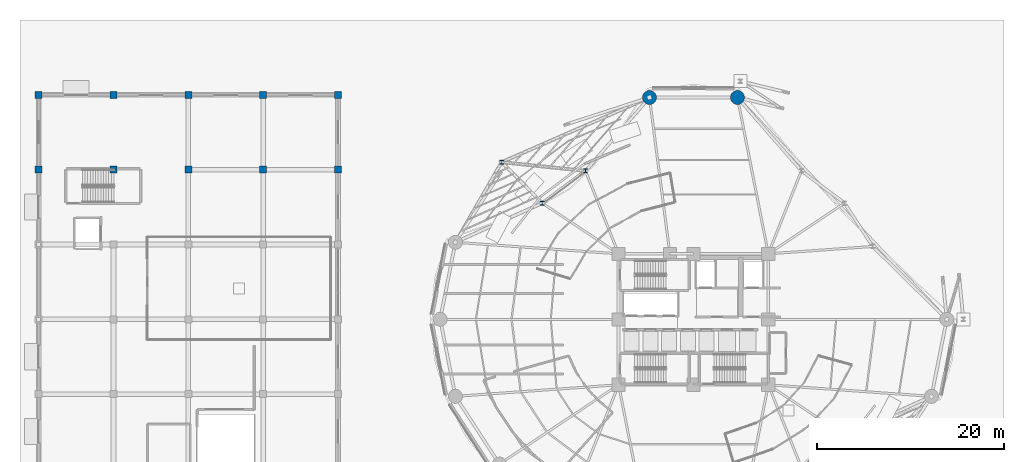
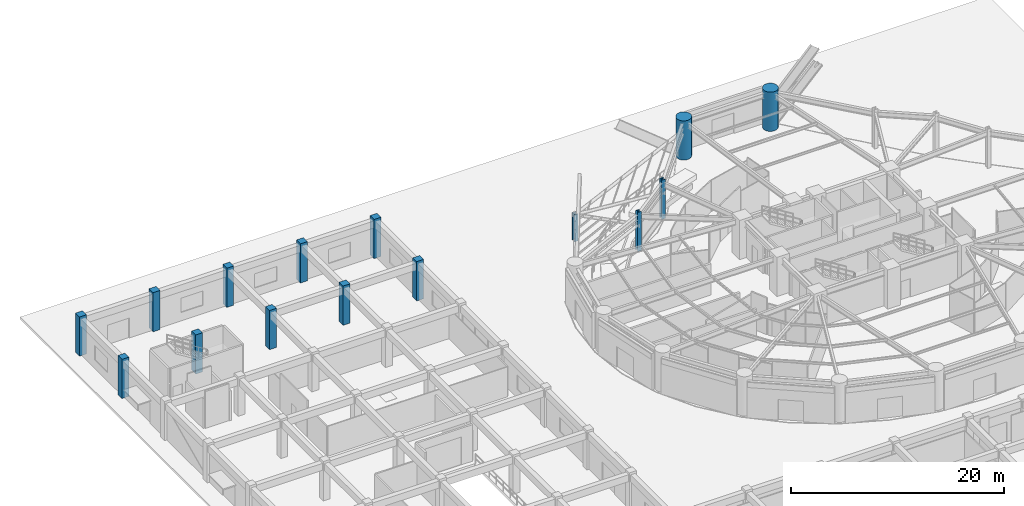
# One storey, part 3 of 40: 15 columns.
"""IFC4 building model written with IfcOpenShell, lengths in metres."""

from ifc_helpers import new_model, si_unit, direction, frame, origin, origin_2d, place, context, subcontext, project, spatial, rectangle, circle, i_section, extrude, material, material_profile, profile_set, type_object, element, save


model = new_model("IFC4")

# Units and contexts
model_context = context("Model", 3, precision=1e-05, world=origin(), true_north=direction((0.0, 1.0)))
body_context = subcontext(model_context, "Body", "Model", "MODEL_VIEW")
ifc_project = project(units=[si_unit("LENGTHUNIT", "METRE"), si_unit("AREAUNIT", "SQUARE_METRE"), si_unit("VOLUMEUNIT", "CUBIC_METRE"), si_unit("PLANEANGLEUNIT", "RADIAN"), si_unit("MASSUNIT", "GRAM", prefix="KILO")], contexts=[model_context])

# Site, building, storey
site_placement = place(None, origin())
site = spatial("IfcSite", under=ifc_project, at=site_placement, CompositionType="ELEMENT")
building_placement = place(site_placement, origin())
building = spatial("IfcBuilding", under=site, at=building_placement, Name="Kelanora Arch Commons", CompositionType="ELEMENT")
storey_placement = place(building_placement, origin())
storey = spatial("IfcBuildingStorey", under=building, at=storey_placement, Name="L00", CompositionType="ELEMENT", Elevation=0.0)

# Columns
ifc_material_1 = material(Name="Concrete C50/60", Category="concrete")
ifc_material_profile_1 = material_profile(ifc_material_1, rectangle(XDim=0.75, YDim=0.75, at=origin_2d()), Name="RC750x750")
ifc_profile_set_1 = profile_set([ifc_material_profile_1], Name="Concrete C50/60")
column_type_1 = type_object("IfcColumnType", Name="COL-MKT-MAIN", PredefinedType="COLUMN", material=ifc_profile_set_1)
for number, where, z_axis, x_axis, name in (
    (1, (4.0, 74.0, 0.0), (0.0, 0.0, 1.0), (1.0, 0.0, 0.0), "Market Hall Column 1-K L00"),
    (2, (4.0, 82.0, 0.0), (0.0, 0.0, 1.0), (1.0, 0.0, 0.0), "Market Hall Column 1-L L00"),
    (3, (12.0, 74.0, 0.0), (0.0, 0.0, 1.0), (1.0, 0.0, 0.0), "Market Hall Column 2-K L00"),
    (4, (12.0, 82.0, 0.0), (0.0, 0.0, 1.0), (1.0, 0.0, 0.0), "Market Hall Column 2-L L00"),
    (5, (20.0, 74.0, 0.0), (0.0, 0.0, 1.0), (1.0, 0.0, 0.0), "Market Hall Column 3-K L00"),
    (6, (20.0, 82.0, 0.0), (0.0, 0.0, 1.0), (1.0, 0.0, 0.0), "Market Hall Column 3-L L00"),
    (7, (28.0, 74.0, 0.0), (0.0, 0.0, 1.0), (1.0, 0.0, 0.0), "Market Hall Column 4-K L00"),
    (8, (28.0, 82.0, 0.0), (0.0, 0.0, 1.0), (1.0, 0.0, 0.0), "Market Hall Column 4-L L00"),
    (9, (36.0, 74.0, 0.0), (0.0, 0.0, 1.0), (1.0, 0.0, 0.0), "Market Hall Column 5-K L00"),
    (10, (36.0, 82.0, 0.0), (0.0, 0.0, 1.0), (1.0, 0.0, 0.0), "Market Hall Column 5-L L00"),
):
    element("IfcColumn", number, at=place(storey_placement, frame(where, z_axis=z_axis, x_axis=x_axis)), inside=storey, type_object=column_type_1, Name=name, PredefinedType="COLUMN", context=body_context, shape_type="SweptSolid", body=[
        extrude(rectangle(XDim=0.75, YDim=0.75, at=origin_2d()), origin(), (0.0, 0.0, 1.0), 4.5),
    ])
ifc_material_2 = material(Name="Concrete C60/75", Category="concrete")
ifc_material_profile_2 = material_profile(ifc_material_2, circle(Radius=0.75, at=origin_2d()), Name="RCC1500")
ifc_profile_set_2 = profile_set([ifc_material_profile_2], Name="Concrete C60/75")
column_type_2 = type_object("IfcColumnType", Name="COL-PERIM-Z1", PredefinedType="COLUMN", material=ifc_profile_set_2)
for number, where, z_axis, x_axis, name in (
    (11, (78.702392578125, 81.714111328125, 0.0), (0.0, 0.0, 1.0), (1.0, 0.0, 0.0), "Perimeter Ring Column CP-08 L00"),
    (12, (69.297607421875, 81.714111328125, 0.0), (0.0, 0.0, 1.0), (1.0, 0.0, 0.0), "Perimeter Ring Column CP-10 L00"),
):
    element("IfcColumn", number, at=place(storey_placement, frame(where, z_axis=z_axis, x_axis=x_axis)), inside=storey, type_object=column_type_2, Name=name, PredefinedType="COLUMN", context=body_context, shape_type="SweptSolid", body=[
        extrude(circle(Radius=0.75, at=origin_2d()), origin(), (0.0, 0.0, 1.0), 4.5),
    ])
ifc_material_3 = material(Name="Steel S355", Category="steel")
ifc_material_profile_3 = material_profile(ifc_material_3, i_section(OverallWidth=0.406005859375, OverallDepth=0.416015625, WebThickness=0.029052734375, FlangeThickness=0.048095703125, FilletRadius=0.014892578125, at=origin_2d()), Name="HD400x382")
ifc_profile_set_3 = profile_set([ifc_material_profile_3], Name="Steel S355")
column_type_3 = type_object("IfcColumnType", Name="COL-PORCH", PredefinedType="COLUMN", material=ifc_profile_set_3)
for number, where, z_axis, x_axis, name in (
    (13, (62.454345703125, 73.866455078125, 0.0), (0.0, 0.0, 1.0), (1.0, 0.0, 0.0), "Recessed Courtyard Column CCC-12 L00"),
    (14, (57.843505859375, 70.426025390625, 0.0), (0.0, 0.0, 1.0), (1.0, 0.0, 0.0), "Recessed Courtyard Column CCC-14 L00"),
):
    element("IfcColumn", number, at=place(storey_placement, frame(where, z_axis=z_axis, x_axis=x_axis)), inside=storey, type_object=column_type_3, Name=name, PredefinedType="COLUMN", context=body_context, shape_type="SweptSolid", body=[
        extrude(i_section(OverallWidth=0.406005859375, OverallDepth=0.416015625, WebThickness=0.029052734375, FlangeThickness=0.048095703125, FilletRadius=0.014892578125, at=origin_2d()), origin(), (0.0, 0.0, 1.0), 4.5),
    ])
column_placement = place(storey_placement, frame((53.5, 74.800048828125, 0.0), z_axis=(0.0, 0.0, 1.0), x_axis=(1.0, 0.0, 0.0)))
element("IfcColumn", 15, at=column_placement, inside=storey, type_object=column_type_3, Name="Courtyard Pergola Column NW L00", PredefinedType="COLUMN", context=body_context, shape_type="SweptSolid", body=[
    extrude(i_section(OverallWidth=0.406005859375, OverallDepth=0.416015625, WebThickness=0.029052734375, FlangeThickness=0.048095703125, FilletRadius=0.014892578125, at=origin_2d()), origin(), (0.0, 0.0, 1.0), 3.10009765625),
])

save(model, "model.ifc")
